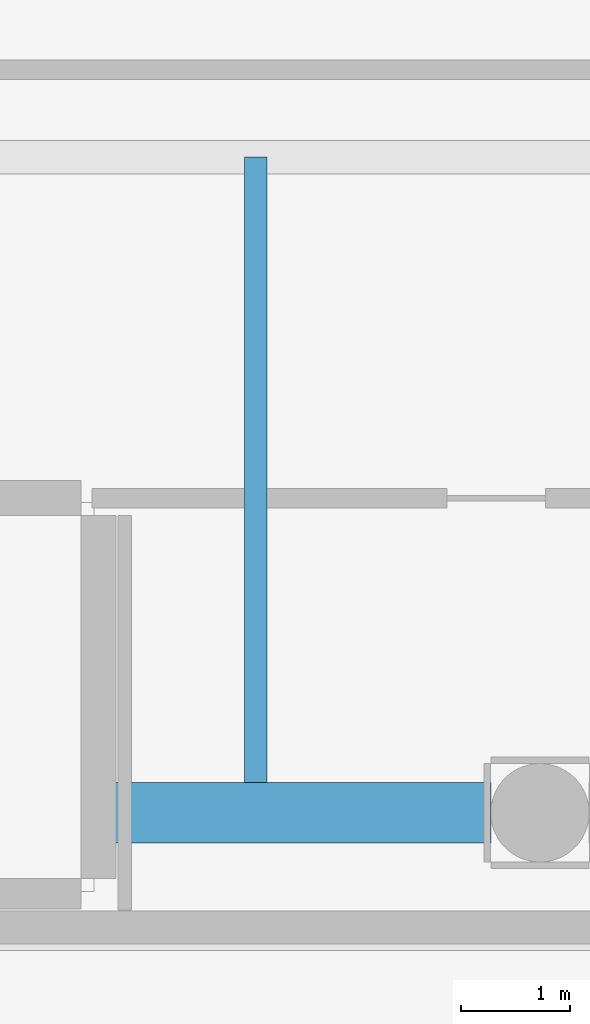
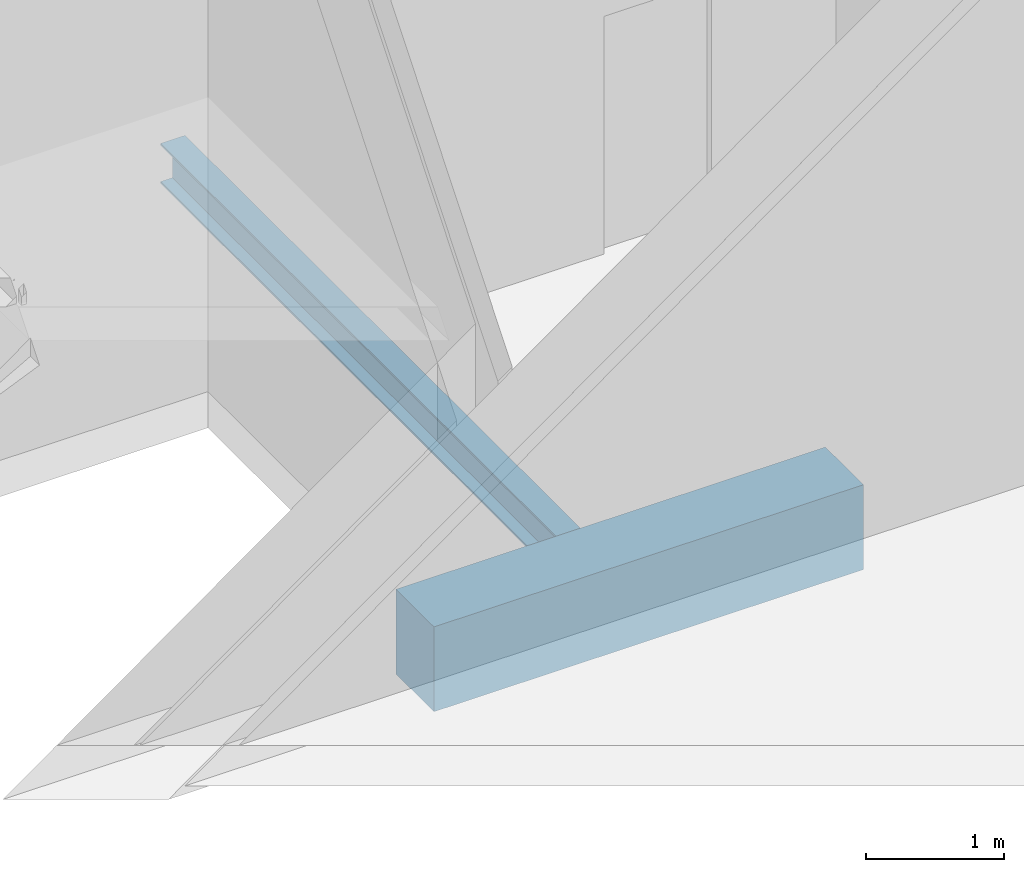
# One storey, part 9 of 30: 2 beams.
"""IFC4 building model written with IfcOpenShell, lengths in metres."""

from ifc_helpers import new_model, si_unit, direction, frame, origin, origin_2d, place, context, subcontext, project, spatial, rectangle, i_section, extrude, material, material_profile, profile_set, type_object, element, save


model = new_model("IFC4")

# Units and contexts
model_context = context("Model", 3, precision=1e-05, world=origin(), true_north=direction((0.0, 1.0)))
body_context = subcontext(model_context, "Body", "Model", "MODEL_VIEW")
ifc_project = project(units=[si_unit("LENGTHUNIT", "METRE"), si_unit("AREAUNIT", "SQUARE_METRE"), si_unit("VOLUMEUNIT", "CUBIC_METRE"), si_unit("PLANEANGLEUNIT", "RADIAN"), si_unit("MASSUNIT", "GRAM", prefix="KILO")], contexts=[model_context])

# Site, building, storey
site_placement = place(None, origin())
site = spatial("IfcSite", under=ifc_project, at=site_placement, CompositionType="ELEMENT")
building_placement = place(site_placement, origin())
building = spatial("IfcBuilding", under=site, at=building_placement, Name="Solanera Arch Residences", CompositionType="ELEMENT")
storey_placement = place(building_placement, origin())
storey = spatial("IfcBuildingStorey", under=building, at=storey_placement, Name="L00", CompositionType="ELEMENT", Elevation=0.0)

# Beams
ifc_material_1 = material(Name="Concrete C40/50 (f'c = 45 MPa)", Category="concrete")
ifc_material_profile_1 = material_profile(ifc_material_1, rectangle(XDim=0.550048828125, YDim=0.75, at=origin_2d()))
ifc_profile_set_1 = profile_set([ifc_material_profile_1], Name="Concrete C40/50 (f'c = 45 MPa)")
beam_type_1 = type_object("IfcBeamType", Name="Primary Beam RC-BM-550X750", PredefinedType="BEAM", material=ifc_profile_set_1)
beam_1_placement = place(storey_placement, frame((64.760009765625, 13.800048828125, -0.695068359375), z_axis=(1.0, 0.0, 0.0), x_axis=(0.0, 1.0, 0.0)))
element("IfcBeam", 1, at=beam_1_placement, inside=storey, type_object=beam_type_1, Name="BM-L00-HS-1", PredefinedType="BEAM", context=body_context, shape_type="SweptSolid", body=[
    extrude(rectangle(XDim=0.550048828125, YDim=0.75, at=origin_2d()), origin(), (0.0, 0.0, 1.0), 3.590087890625),
])
ifc_material_2 = material(Name="Steel S355 (ASTM A992 / A572 Grade 50)", Category="steel")
ifc_material_profile_2 = material_profile(ifc_material_2, i_section(OverallWidth=0.205078125, OverallDepth=0.35400390625, WebThickness=0.009521484375, FlangeThickness=0.016845703125, at=origin_2d()))
ifc_profile_set_2 = profile_set([ifc_material_profile_2], Name="Steel S355 (ASTM A992 / A572 Grade 50)")
beam_type_2 = type_object("IfcBeamType", Name="Secondary Joist W360X79", PredefinedType="JOIST", material=ifc_profile_set_2)
beam_2_placement = place(storey_placement, frame((66.199951171875, 13.800048828125, -0.4970703125), z_axis=(0.0, 1.0, 0.0), x_axis=(-1.0, 0.0, 0.0)))
element("IfcBeam", 2, at=beam_2_placement, inside=storey, type_object=beam_type_2, Name="BM-L00-HJS-66", PredefinedType="JOIST", context=body_context, shape_type="SweptSolid", body=[
    extrude(i_section(OverallWidth=0.205078125, OverallDepth=0.35400390625, WebThickness=0.009521484375, FlangeThickness=0.016845703125, at=origin_2d()), origin(), (0.0, 0.0, 1.0), 6.0),
])

save(model, "model.ifc")
